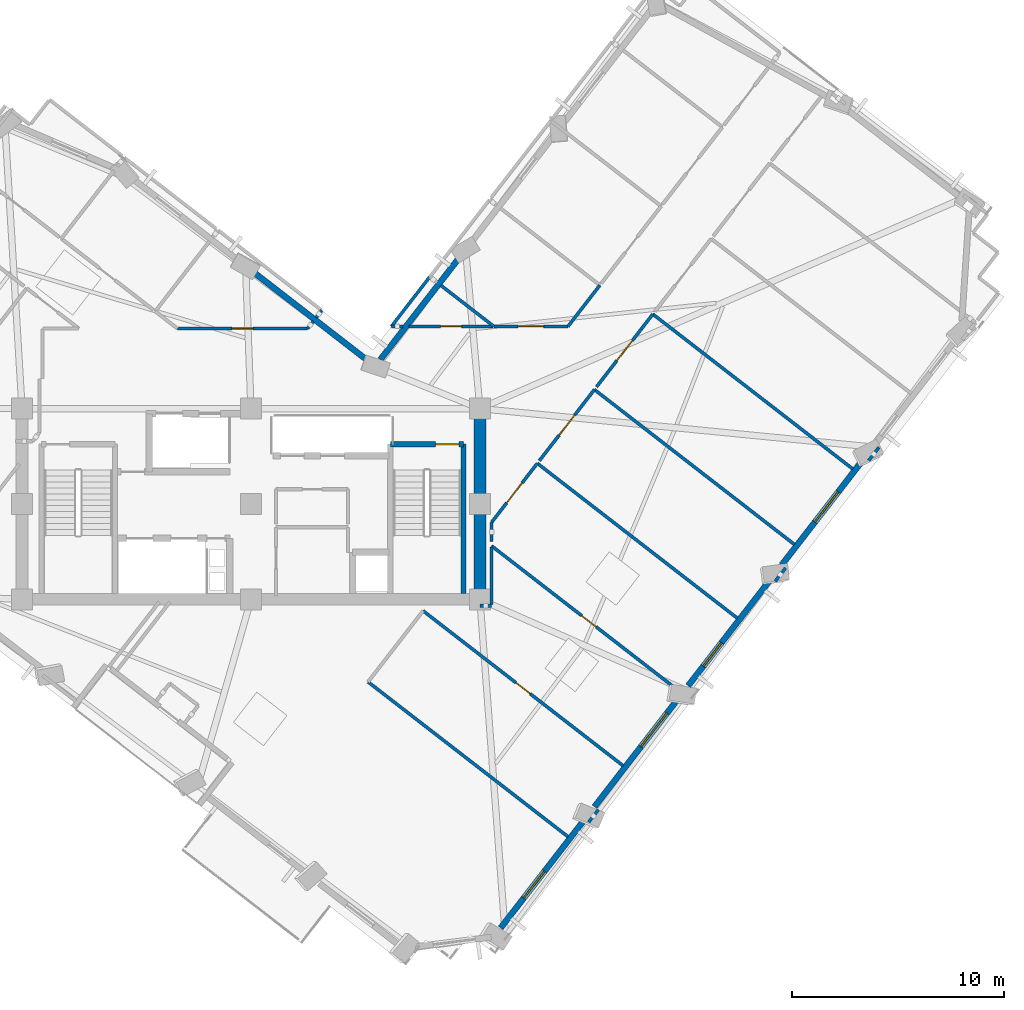
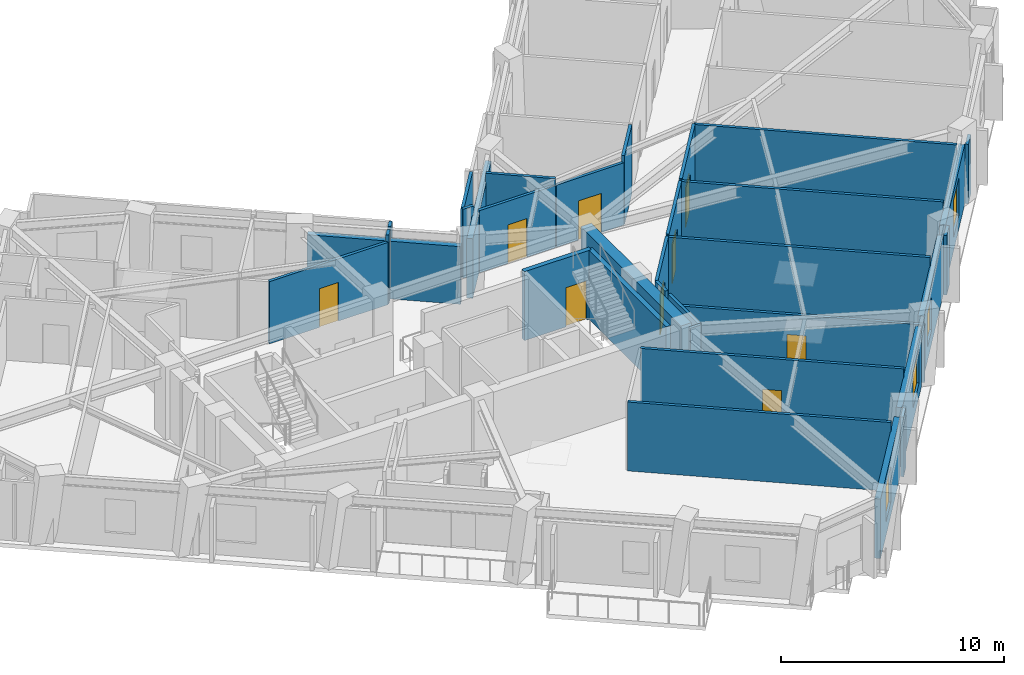
# One storey, part 5 of 12: 33 walls, 9 doors, 4 windows, 13 openings.
"""IFC4 building model written with IfcOpenShell, lengths in metres."""

from ifc_helpers import new_model, si_unit, direction, frame, frame_2d, origin, place, context, subcontext, project, spatial, rectangle, extrude, material, layer, layer_set, type_object, element, fill, save


model = new_model("IFC4")

# Units and contexts
model_context = context("Model", 3, precision=1e-05, world=origin(), true_north=direction((0.0, 1.0)))
body_context = subcontext(model_context, "Body", "Model", "MODEL_VIEW")
ifc_project = project(units=[si_unit("LENGTHUNIT", "METRE"), si_unit("AREAUNIT", "SQUARE_METRE"), si_unit("VOLUMEUNIT", "CUBIC_METRE"), si_unit("PLANEANGLEUNIT", "RADIAN"), si_unit("MASSUNIT", "GRAM", prefix="KILO")], contexts=[model_context])

# Site, building, storey
site_placement = place(None, origin())
site = spatial("IfcSite", under=ifc_project, at=site_placement, CompositionType="ELEMENT")
building_placement = place(site_placement, origin())
building = spatial("IfcBuilding", under=site, at=building_placement, Name="Gaonmaruhae Medical Tower", CompositionType="ELEMENT")
storey_placement = place(building_placement, frame((0.0, 0.0, 247.199951171875)))
storey = spatial("IfcBuildingStorey", under=building, at=storey_placement, Name="L59", CompositionType="ELEMENT", Elevation=247.199951171875)

# Wall
ifc_material_1 = material(Name="Concrete C50/60", Category="concrete")
ifc_layer_1 = layer(ifc_material_1, 0.550048828125)
ifc_layer_set_1 = layer_set([ifc_layer_1], Name="Concrete C50/60")
wall_type_1 = type_object("IfcWallType", Name="CW-550 Mid-High Core Shear Wall", PredefinedType="SHEAR", material=ifc_layer_set_1)
wall_1_placement = place(storey_placement, frame((35.60009765625, 7.800048828125, 0.0), z_axis=(0.0, 0.0, 1.0), x_axis=(0.0, 1.0, 0.0)))
element("IfcWall", 1, at=wall_1_placement, inside=storey, type_object=wall_type_1, Name="L59 Core Shear Wall CSW-E1", PredefinedType="SHEAR", context=body_context, shape_type="SweptSolid", body=[
    extrude(rectangle(XDim=9.0, YDim=0.550048828125, at=frame_2d((4.5, 0.0))), origin(), (0.0, 0.0, 1.0), 3.780029296875),
])

# Wall, opening, window
ifc_material_2 = material(Name="Precast concrete C45/55", Category="concrete")
ifc_layer_2 = layer(ifc_material_2, 0.280029296875)
ifc_layer_set_2 = layer_set([ifc_layer_2], Name="Precast concrete C45/55")
wall_type_2 = type_object("IfcWallType", Name="EW-280 Upper Precast Masonry-Frame Facade Wall", PredefinedType="SOLIDWALL", material=ifc_layer_set_2)
wall_2_placement = place(storey_placement, frame((40.548828125, -2.56884765625, 0.0), z_axis=(0.0, 0.0, 1.0), x_axis=(-0.612205844223, -0.790698428163, 0.0)))
wall_2 = element("IfcWall", 2, at=wall_2_placement, inside=storey, type_object=wall_type_2, Name="L59 Precast Masonry-Frame Wall S01-S02", PredefinedType="SOLIDWALL", context=body_context, shape_type="SweptSolid", body=[
    extrude(rectangle(XDim=6.484619140625, YDim=0.280029296875, at=frame_2d((3.2421875, 0.0))), origin(), (0.0, 0.0, 1.0), 3.26513671875),
])
opening_1_placement = place(wall_2_placement, frame((3.101318359375, 0.0, 0.75)))
opening_1 = element("IfcOpeningElement", 3, at=opening_1_placement, cuts=wall_2, Name="Opening WN-01", PredefinedType="OPENING", context=body_context, shape_type="SweptSolid", body=[
    extrude(rectangle(XDim=1.60009765625, YDim=1.949951171875, at=frame_2d((0.800048828125, 0.97509765625))), frame((0.0, 0.14990234375, 0.0), z_axis=(0.0, -1.0, 0.0), x_axis=(1.0, 0.0, 0.0)), (0.0, 0.0, 1.0), 0.300048828125),
])
ifc_material_3 = material(Name="Anodised aluminium and Low-E double glazing", Category="aluminium")
window_type_1 = type_object("IfcWindowType", Name="WN-01 Ward Punched Acoustic Window 1600x1950", PartitioningType="SINGLE_PANEL", PredefinedType="WINDOW", material=ifc_material_3)
window_1_placement = place(opening_1_placement, origin())
window_1 = element("IfcWindow", 4, at=window_1_placement, inside=storey, type_object=window_type_1, Name="L59 Modular Facade Window S01", OverallHeight=1.949951171875, OverallWidth=1.60009765625, PartitioningType="SINGLE_PANEL", PredefinedType="WINDOW", context=body_context, shape_type="SweptSolid", body=[
    extrude(rectangle(XDim=1.60009765625, YDim=1.949951171875, at=frame_2d((0.800048828125, 0.97509765625))), frame((0.0, 0.030029296875, 0.0), z_axis=(0.0, -1.0, 0.0), x_axis=(1.0, 0.0, 0.0)), (0.0, 0.0, 1.0), 0.06005859375),
])
fill(opening_1, window_1)

wall_3_placement = place(storey_placement, frame((44.94580078125, 3.110107421875, 0.0), z_axis=(0.0, 0.0, 1.0), x_axis=(-0.612214489322, -0.790691734537, 0.0)))
wall_3 = element("IfcWall", 5, at=wall_3_placement, inside=storey, type_object=wall_type_2, Name="L59 Precast Masonry-Frame Wall S02-S03", PredefinedType="SOLIDWALL", context=body_context, shape_type="SweptSolid", body=[
    extrude(rectangle(XDim=6.438720703125, YDim=0.280029296875, at=frame_2d((3.21923828125, 0.0))), origin(), (0.0, 0.0, 1.0), 3.26513671875),
])
opening_2_placement = place(wall_3_placement, frame((0.85791015625, 0.0, 0.75)))
opening_2 = element("IfcOpeningElement", 6, at=opening_2_placement, cuts=wall_3, Name="Opening WN-02", PredefinedType="OPENING", context=body_context, shape_type="SweptSolid", body=[
    extrude(rectangle(XDim=2.0, YDim=1.949951171875, at=frame_2d((1.0, 0.97509765625))), frame((0.0, 0.14990234375, 0.0), z_axis=(0.0, -1.0, 0.0), x_axis=(1.0, 0.0, 0.0)), (0.0, 0.0, 1.0), 0.300048828125),
])
window_type_2 = type_object("IfcWindowType", Name="WN-02 Double-Bed Ward Punched Window 2000x1950", PartitioningType="SINGLE_PANEL", PredefinedType="WINDOW", material=ifc_material_3)
window_2_placement = place(opening_2_placement, origin())
window_2 = element("IfcWindow", 7, at=window_2_placement, inside=storey, type_object=window_type_2, Name="L59 Modular Facade Window S02", OverallHeight=1.949951171875, OverallWidth=2.0, PartitioningType="SINGLE_PANEL", PredefinedType="WINDOW", context=body_context, shape_type="SweptSolid", body=[
    extrude(rectangle(XDim=2.0, YDim=1.949951171875, at=frame_2d((1.0, 0.97509765625))), frame((0.0, 0.030029296875, 0.0), z_axis=(0.0, -1.0, 0.0), x_axis=(1.0, 0.0, 0.0)), (0.0, 0.0, 1.0), 0.06005859375),
])
fill(opening_2, window_2)

wall_4_placement = place(storey_placement, frame((49.3486328125, 8.79638671875, 0.0), z_axis=(0.0, 0.0, 1.0), x_axis=(-0.612226167932, -0.790682691918, 0.0)))
wall_4 = element("IfcWall", 8, at=wall_4_placement, inside=storey, type_object=wall_type_2, Name="L59 Precast Masonry-Frame Wall S03-S04", PredefinedType="SOLIDWALL", context=body_context, shape_type="SweptSolid", body=[
    extrude(rectangle(XDim=6.41357421875, YDim=0.280029296875, at=frame_2d((3.206787109375, 0.0))), origin(), (0.0, 0.0, 1.0), 3.26513671875),
])
opening_3_placement = place(wall_4_placement, frame((3.845703125, 0.0, 0.75)))
opening_3 = element("IfcOpeningElement", 9, at=opening_3_placement, cuts=wall_4, Name="Opening WN-03", PredefinedType="OPENING", context=body_context, shape_type="SweptSolid", body=[
    extrude(rectangle(XDim=1.39990234375, YDim=1.85009765625, at=frame_2d((0.699951171875, 0.925048828125))), frame((0.0, 0.14990234375, 0.0), z_axis=(0.0, -1.0, 0.0), x_axis=(1.0, 0.0, 0.0)), (0.0, 0.0, 1.0), 0.300048828125),
])
window_type_3 = type_object("IfcWindowType", Name="WN-03 Isolation Ward Punched Window 1400x1850", PartitioningType="SINGLE_PANEL", PredefinedType="WINDOW", material=ifc_material_3)
window_3_placement = place(opening_3_placement, origin())
window_3 = element("IfcWindow", 10, at=window_3_placement, inside=storey, type_object=window_type_3, Name="L59 Modular Facade Window S03", OverallHeight=1.85009765625, OverallWidth=1.39990234375, PartitioningType="SINGLE_PANEL", PredefinedType="WINDOW", context=body_context, shape_type="SweptSolid", body=[
    extrude(rectangle(XDim=1.39990234375, YDim=1.85009765625, at=frame_2d((0.699951171875, 0.925048828125))), frame((0.0, 0.030029296875, 0.0), z_axis=(0.0, -1.0, 0.0), x_axis=(1.0, 0.0, 0.0)), (0.0, 0.0, 1.0), 0.06005859375),
])
fill(opening_3, window_3)

wall_5_placement = place(storey_placement, frame((53.757080078125, 14.489990234375, 0.0), z_axis=(0.0, 0.0, 1.0), x_axis=(-0.612208546276, -0.790696336065, 0.0)))
wall_5 = element("IfcWall", 11, at=wall_5_placement, inside=storey, type_object=wall_type_2, Name="L59 Precast Masonry-Frame Wall S04-S05", PredefinedType="SOLIDWALL", context=body_context, shape_type="SweptSolid", body=[
    extrude(rectangle(XDim=6.406982421875, YDim=0.280029296875, at=frame_2d((3.20361328125, 0.0))), origin(), (0.0, 0.0, 1.0), 3.26513671875),
])
opening_4_placement = place(wall_5_placement, frame((2.04345703125, 0.0, 0.75)))
opening_4 = element("IfcOpeningElement", 12, at=opening_4_placement, cuts=wall_5, Name="Opening WN-04", PredefinedType="OPENING", context=body_context, shape_type="SweptSolid", body=[
    extrude(rectangle(XDim=1.800048828125, YDim=2.050048828125, at=frame_2d((0.89990234375, 1.02490234375))), frame((0.0, 0.14990234375, 0.0), z_axis=(0.0, -1.0, 0.0), x_axis=(1.0, 0.0, 0.0)), (0.0, 0.0, 1.0), 0.300048828125),
])
window_type_4 = type_object("IfcWindowType", Name="WN-04 Clinic & Consult Punched Window 1800x2050", PartitioningType="SINGLE_PANEL", PredefinedType="WINDOW", material=ifc_material_3)
window_4_placement = place(opening_4_placement, origin())
window_4 = element("IfcWindow", 13, at=window_4_placement, inside=storey, type_object=window_type_4, Name="L59 Modular Facade Window S04", OverallHeight=2.050048828125, OverallWidth=1.800048828125, PartitioningType="SINGLE_PANEL", PredefinedType="WINDOW", context=body_context, shape_type="SweptSolid", body=[
    extrude(rectangle(XDim=1.800048828125, YDim=2.050048828125, at=frame_2d((0.89990234375, 1.02490234375))), frame((0.0, 0.030029296875, 0.0), z_axis=(0.0, -1.0, 0.0), x_axis=(1.0, 0.0, 0.0)), (0.0, 0.0, 1.0), 0.06005859375),
])
fill(opening_4, window_4)

# Walls
wall_6_placement = place(storey_placement, frame((30.905517578125, 19.114990234375, 0.0), z_axis=(0.0, 0.0, 1.0), x_axis=(0.612215569716, 0.790690898011, 0.0)))
element("IfcWall", 14, at=wall_6_placement, inside=storey, type_object=wall_type_2, Name="L59 Precast Masonry-Frame Wall EN02-KN01", PredefinedType="SOLIDWALL", context=body_context, shape_type="SweptSolid", body=[
    extrude(rectangle(XDim=6.158447265625, YDim=0.280029296875, at=frame_2d((3.0791015625, 0.0))), origin(), (0.0, 0.0, 1.0), 3.26513671875),
])
wall_7_placement = place(storey_placement, frame((24.884521484375, 23.264404296875, 0.0), z_axis=(0.0, 0.0, 1.0), x_axis=(0.790684257093, -0.612224146523, 0.0)))
element("IfcWall", 15, at=wall_7_placement, inside=storey, type_object=wall_type_2, Name="L59 Precast Masonry-Frame Wall KN01-NE01", PredefinedType="SOLIDWALL", context=body_context, shape_type="SweptSolid", body=[
    extrude(rectangle(XDim=6.957763671875, YDim=0.280029296875, at=frame_2d((3.47900390625, 0.0))), origin(), (0.0, 0.0, 1.0), 3.1650390625),
])

# Wall, opening, door
ifc_material_4 = material(Name="Gypsum board partition", Category="gypsum")
ifc_layer_3 = layer(ifc_material_4, 0.14990234375)
ifc_layer_set_3 = layer_set([ifc_layer_3], Name="Gypsum board partition")
wall_type_3 = type_object("IfcWallType", Name="PW-150 Rated Clinical Corridor Partition", PredefinedType="PARTITIONING", material=ifc_layer_set_3)
wall_8_placement = place(storey_placement, frame((32.919921875, 7.260009765625, 0.0), z_axis=(0.0, 0.0, 1.0), x_axis=(0.790650233598, -0.612268085164, 0.0)))
wall_8 = element("IfcWall", 16, at=wall_8_placement, inside=storey, type_object=wall_type_3, Name="L59 Interior Partition L59-SUP03-8", PredefinedType="PARTITIONING", context=body_context, shape_type="SweptSolid", body=[
    extrude(rectangle(XDim=11.9345703125, YDim=0.14990234375, at=frame_2d((5.96728515625, 0.0))), origin(), (0.0, 0.0, 1.0), 3.780029296875),
])
opening_5_placement = place(wall_8_placement, frame((5.537109375, 0.0, 0.0)))
opening_5 = element("IfcOpeningElement", 17, at=opening_5_placement, cuts=wall_8, Name="Opening AD-01", PredefinedType="OPENING", context=body_context, shape_type="SweptSolid", body=[
    extrude(rectangle(XDim=0.860107421875, YDim=2.06005859375, at=frame_2d((0.43017578125, 1.030029296875))), frame((0.0, 0.0849609375, 0.0), z_axis=(0.0, -1.0, 0.0), x_axis=(1.0, 0.0, 0.0)), (0.0, 0.0, 1.0), 0.169921875),
])
ifc_material_5 = material(Name="Powder-coated steel access door", Category="steel")
door_type_1 = type_object("IfcDoorType", Name="AD-01 Riser & Closet Access Fire Door 860x2060", OperationType="NOTDEFINED", PredefinedType="DOOR", material=ifc_material_5)
door_1_placement = place(opening_5_placement, origin())
door_1 = element("IfcDoor", 18, at=door_1_placement, inside=storey, type_object=door_type_1, Name="L59 Clinical Biomedical Charting Office Sliding Door", OperationType="SLIDING_TO_LEFT", OverallHeight=2.06005859375, OverallWidth=0.860107421875, PredefinedType="DOOR", context=body_context, shape_type="SweptSolid", body=[
    extrude(rectangle(XDim=0.860107421875, YDim=2.06005859375, at=frame_2d((0.43017578125, 1.030029296875))), frame((0.0, 0.02490234375, 0.0), z_axis=(0.0, -1.0, 0.0), x_axis=(1.0, 0.0, 0.0)), (0.0, 0.0, 1.0), 0.050048828125),
])
fill(opening_5, door_1)

# Walls
wall_9_placement = place(storey_placement, frame((41.18603515625, -2.1220703125, 0.0), z_axis=(0.0, 0.0, 1.0), x_axis=(-0.613576707718, -0.789635120639, 0.0)))
element("IfcWall", 19, at=wall_9_placement, inside=storey, type_object=wall_type_3, Name="L59 Interior Partition L59-SUP03-9", PredefinedType="PARTITIONING", context=body_context, shape_type="SweptSolid", body=[
    extrude(rectangle(XDim=0.7431640625, YDim=0.14990234375, at=frame_2d((0.37158203125, 0.0))), origin(), (0.0, 0.0, 1.0), 3.26513671875),
])
wall_10_placement = place(storey_placement, frame((39.760986328125, -3.39892578125, 0.0), z_axis=(0.0, 0.0, 1.0), x_axis=(-0.790690807158, 0.612215687055, 0.0)))
element("IfcWall", 20, at=wall_10_placement, inside=storey, type_object=wall_type_3, Name="L59 Interior Partition L59-SUP03-10", PredefinedType="PARTITIONING", context=body_context, shape_type="SweptSolid", body=[
    extrude(rectangle(XDim=11.93505859375, YDim=0.14990234375, at=frame_2d((5.967529296875, 0.0))), origin(), (0.0, 0.0, 1.0), 3.780029296875),
])

# Wall, opening, door
wall_11_placement = place(storey_placement, frame((36.14990234375, 10.323974609375, 0.0), z_axis=(0.0, 0.0, 1.0), x_axis=(0.790670472716, -0.612241948559, 0.0)))
wall_11 = element("IfcWall", 21, at=wall_11_placement, inside=storey, type_object=wall_type_3, Name="L59 Interior Partition L59-SUP04-11", PredefinedType="PARTITIONING", context=body_context, shape_type="SweptSolid", body=[
    extrude(rectangle(XDim=11.6015625, YDim=0.14990234375, at=frame_2d((5.80078125, 0.0))), origin(), (0.0, 0.0, 1.0), 3.1650390625),
])
opening_6_placement = place(wall_11_placement, frame((5.370849609375, 0.0, 0.0)))
opening_6 = element("IfcOpeningElement", 22, at=opening_6_placement, cuts=wall_11, Name="Opening AD-01", PredefinedType="OPENING", context=body_context, shape_type="SweptSolid", body=[
    extrude(rectangle(XDim=0.860107421875, YDim=2.06005859375, at=frame_2d((0.43017578125, 1.030029296875))), frame((0.0, 0.0849609375, 0.0), z_axis=(0.0, -1.0, 0.0), x_axis=(1.0, 0.0, 0.0)), (0.0, 0.0, 1.0), 0.169921875),
])
door_2_placement = place(opening_6_placement, origin())
door_2 = element("IfcDoor", 23, at=door_2_placement, inside=storey, type_object=door_type_1, Name="L59 Clinical Biomedical Charting Office Sliding Door", OperationType="SLIDING_TO_LEFT", OverallHeight=2.06005859375, OverallWidth=0.860107421875, PredefinedType="DOOR", context=body_context, shape_type="SweptSolid", body=[
    extrude(rectangle(XDim=0.860107421875, YDim=2.06005859375, at=frame_2d((0.43017578125, 1.030029296875))), frame((0.0, 0.02490234375, 0.0), z_axis=(0.0, -1.0, 0.0), x_axis=(1.0, 0.0, 0.0)), (0.0, 0.0, 1.0), 0.050048828125),
])
fill(opening_6, door_2)

# Walls
wall_12_placement = place(storey_placement, frame((35.60009765625, 7.5, 0.0), z_axis=(0.0, 0.0, 1.0), x_axis=(1.0, 0.0, 0.0)))
element("IfcWall", 24, at=wall_12_placement, inside=storey, type_object=wall_type_3, Name="L59 Interior Partition L59-SUP04-12", PredefinedType="PARTITIONING", context=body_context, shape_type="SweptSolid", body=[
    extrude(rectangle(XDim=0.5498046875, YDim=0.14990234375, at=frame_2d((0.27490234375, 0.0))), origin(), (0.0, 0.0, 1.0), 3.780029296875),
])
wall_13_placement = place(storey_placement, frame((36.14990234375, 7.550048828125, 0.0), z_axis=(0.0, 0.0, 1.0), x_axis=(0.0, 1.0, 0.0)))
element("IfcWall", 25, at=wall_13_placement, inside=storey, type_object=wall_type_3, Name="L59 Interior Partition L59-SUP04-13", PredefinedType="PARTITIONING", context=body_context, shape_type="SweptSolid", body=[
    extrude(rectangle(XDim=2.7109375, YDim=0.14990234375, at=frame_2d((1.35546875, 0.0))), origin(), (0.0, 0.0, 1.0), 3.780029296875),
])
wall_14_placement = place(storey_placement, frame((38.306884765625, 14.218017578125, 0.0), z_axis=(0.0, 0.0, 1.0), x_axis=(0.79073041553, -0.612164528502, 0.0)))
element("IfcWall", 26, at=wall_14_placement, inside=storey, type_object=wall_type_3, Name="L59 Interior Partition L59-SUP05-14", PredefinedType="PARTITIONING", context=body_context, shape_type="SweptSolid", body=[
    extrude(rectangle(XDim=11.9345703125, YDim=0.14990234375, at=frame_2d((5.96728515625, 0.0))), origin(), (0.0, 0.0, 1.0), 3.780029296875),
])
wall_15_placement = place(storey_placement, frame((36.14990234375, 10.52587890625, 0.0), z_axis=(0.0, 0.0, 1.0), x_axis=(0.0, 1.0, 0.0)))
element("IfcWall", 27, at=wall_15_placement, inside=storey, type_object=wall_type_3, Name="L59 Interior Partition L59-SUP05-15", PredefinedType="PARTITIONING", context=body_context, shape_type="SweptSolid", body=[
    extrude(rectangle(XDim=0.9072265625, YDim=0.14990234375, at=frame_2d((0.45361328125, 0.0))), origin(), (0.0, 0.0, 1.0), 3.780029296875),
])

# Wall, opening, door
wall_16_placement = place(storey_placement, frame((36.14990234375, 11.43310546875, 0.0), z_axis=(0.0, 0.0, 1.0), x_axis=(0.612336732494, 0.790597069333, 0.0)))
wall_16 = element("IfcWall", 28, at=wall_16_placement, inside=storey, type_object=wall_type_3, Name="L59 Interior Partition L59-SUP05-16", PredefinedType="PARTITIONING", context=body_context, shape_type="SweptSolid", body=[
    extrude(rectangle(XDim=3.5224609375, YDim=0.14990234375, at=frame_2d((1.76123046875, 0.0))), origin(), (0.0, 0.0, 1.0), 3.780029296875),
])
opening_7_placement = place(wall_16_placement, frame((1.161376953125, 0.0, 0.0)))
opening_7 = element("IfcOpeningElement", 29, at=opening_7_placement, cuts=wall_16, Name="Opening CD-02", PredefinedType="OPENING", context=body_context, shape_type="SweptSolid", body=[
    extrude(rectangle(XDim=1.199951171875, YDim=2.14990234375, at=frame_2d((0.60009765625, 1.074951171875))), frame((0.0, 0.0849609375, 0.0), z_axis=(0.0, -1.0, 0.0), x_axis=(1.0, 0.0, 0.0)), (0.0, 0.0, 1.0), 0.169921875),
])
ifc_material_6 = material(Name="Antimicrobial laminate timber fire door", Category="wood")
door_type_2 = type_object("IfcDoorType", Name="CD-02 Clinical Treatment & Procedure Door 1200x2150", OperationType="NOTDEFINED", PredefinedType="DOOR", material=ifc_material_6)
door_3_placement = place(opening_7_placement, origin())
door_3 = element("IfcDoor", 30, at=door_3_placement, inside=storey, type_object=door_type_2, Name="L59 Clinical Biomedical Charting Office Door", OperationType="SINGLE_SWING_RIGHT", OverallHeight=2.14990234375, OverallWidth=1.199951171875, PredefinedType="DOOR", context=body_context, shape_type="SweptSolid", body=[
    extrude(rectangle(XDim=1.199951171875, YDim=2.14990234375, at=frame_2d((0.60009765625, 1.074951171875))), frame((0.0, 0.02490234375, 0.0), z_axis=(0.0, -1.0, 0.0), x_axis=(1.0, 0.0, 0.0)), (0.0, 0.0, 1.0), 0.050048828125),
])
fill(opening_7, door_3)

wall_17_placement = place(storey_placement, frame((38.405029296875, 14.344970703125, 0.0), z_axis=(0.0, 0.0, 1.0), x_axis=(0.612292812762, 0.790631084287, 0.0)))
wall_17 = element("IfcWall", 31, at=wall_17_placement, inside=storey, type_object=wall_type_3, Name="L59 Interior Partition L59-SUP06-17", PredefinedType="PARTITIONING", context=body_context, shape_type="SweptSolid", body=[
    extrude(rectangle(XDim=4.23974609375, YDim=0.14990234375, at=frame_2d((2.119873046875, 0.0))), origin(), (0.0, 0.0, 1.0), 3.780029296875),
])
opening_8_placement = place(wall_17_placement, frame((1.52001953125, 0.0, 0.0)))
opening_8 = element("IfcOpeningElement", 32, at=opening_8_placement, cuts=wall_17, Name="Opening CD-02", PredefinedType="OPENING", context=body_context, shape_type="SweptSolid", body=[
    extrude(rectangle(XDim=1.199951171875, YDim=2.14990234375, at=frame_2d((0.60009765625, 1.074951171875))), frame((0.0, 0.0849609375, 0.0), z_axis=(0.0, -1.0, 0.0), x_axis=(1.0, 0.0, 0.0)), (0.0, 0.0, 1.0), 0.169921875),
])
door_4_placement = place(opening_8_placement, origin())
door_4 = element("IfcDoor", 33, at=door_4_placement, inside=storey, type_object=door_type_2, Name="L59 Clinical Biomedical Charting Office Door", OperationType="SINGLE_SWING_RIGHT", OverallHeight=2.14990234375, OverallWidth=1.199951171875, PredefinedType="DOOR", context=body_context, shape_type="SweptSolid", body=[
    extrude(rectangle(XDim=1.199951171875, YDim=2.14990234375, at=frame_2d((0.60009765625, 1.074951171875))), frame((0.0, 0.02490234375, 0.0), z_axis=(0.0, -1.0, 0.0), x_axis=(1.0, 0.0, 0.0)), (0.0, 0.0, 1.0), 0.050048828125),
])
fill(opening_8, door_4)

# Walls
wall_18_placement = place(storey_placement, frame((41.0009765625, 17.697021484375, 0.0), z_axis=(0.0, 0.0, 1.0), x_axis=(0.790650233598, -0.612268085164, 0.0)))
element("IfcWall", 34, at=wall_18_placement, inside=storey, type_object=wall_type_3, Name="L59 Interior Partition L59-SUP06-18", PredefinedType="PARTITIONING", context=body_context, shape_type="SweptSolid", body=[
    extrude(rectangle(XDim=11.9345703125, YDim=0.14990234375, at=frame_2d((5.96728515625, 0.0))), origin(), (0.0, 0.0, 1.0), 3.780029296875),
])
wall_19_placement = place(storey_placement, frame((50.01708984375, 9.282958984375, 0.0), z_axis=(0.0, 0.0, 1.0), x_axis=(-0.612725467553, -0.79029583158, 0.0)))
element("IfcWall", 35, at=wall_19_placement, inside=storey, type_object=wall_type_3, Name="L59 Interior Partition L59-SUP06-19", PredefinedType="PARTITIONING", context=body_context, shape_type="SweptSolid", body=[
    extrude(rectangle(XDim=0.793212890625, YDim=0.14990234375, at=frame_2d((0.396484375, 0.0))), origin(), (0.0, 0.0, 1.0), 3.26513671875),
])

# Wall, opening, door
wall_20_placement = place(storey_placement, frame((41.09912109375, 17.823974609375, 0.0), z_axis=(0.0, 0.0, 1.0), x_axis=(0.612151637576, 0.790740395208, 0.0)))
wall_20 = element("IfcWall", 36, at=wall_20_placement, inside=storey, type_object=wall_type_3, Name="L59 Interior Partition L59-SUP07-20", PredefinedType="PARTITIONING", context=body_context, shape_type="SweptSolid", body=[
    extrude(rectangle(XDim=4.34033203125, YDim=0.14990234375, at=frame_2d((2.170166015625, 0.0))), origin(), (0.0, 0.0, 1.0), 3.780029296875),
])
opening_9_placement = place(wall_20_placement, frame((1.5703125, 0.0, 0.0)))
opening_9 = element("IfcOpeningElement", 37, at=opening_9_placement, cuts=wall_20, Name="Opening CD-02", PredefinedType="OPENING", context=body_context, shape_type="SweptSolid", body=[
    extrude(rectangle(XDim=1.199951171875, YDim=2.14990234375, at=frame_2d((0.60009765625, 1.074951171875))), frame((0.0, 0.0849609375, 0.0), z_axis=(0.0, -1.0, 0.0), x_axis=(1.0, 0.0, 0.0)), (0.0, 0.0, 1.0), 0.169921875),
])
door_5_placement = place(opening_9_placement, origin())
door_5 = element("IfcDoor", 38, at=door_5_placement, inside=storey, type_object=door_type_2, Name="L59 Clinical Biomedical Charting Office Door", OperationType="SINGLE_SWING_LEFT", OverallHeight=2.14990234375, OverallWidth=1.199951171875, PredefinedType="DOOR", context=body_context, shape_type="SweptSolid", body=[
    extrude(rectangle(XDim=1.199951171875, YDim=2.14990234375, at=frame_2d((0.60009765625, 1.074951171875))), frame((0.0, 0.02490234375, 0.0), z_axis=(0.0, -1.0, 0.0), x_axis=(1.0, 0.0, 0.0)), (0.0, 0.0, 1.0), 0.050048828125),
])
fill(opening_9, door_5)

# Walls
wall_21_placement = place(storey_placement, frame((43.756103515625, 21.256103515625, 0.0), z_axis=(0.0, 0.0, 1.0), x_axis=(0.790680905168, -0.612228475492, 0.0)))
element("IfcWall", 39, at=wall_21_placement, inside=storey, type_object=wall_type_3, Name="L59 Interior Partition L59-SUP07-21", PredefinedType="PARTITIONING", context=body_context, shape_type="SweptSolid", body=[
    extrude(rectangle(XDim=11.935302734375, YDim=0.14990234375, at=frame_2d((5.9677734375, 0.0))), origin(), (0.0, 0.0, 1.0), 3.780029296875),
])
wall_22_placement = place(storey_placement, frame((54.423095703125, 14.97509765625, 0.0), z_axis=(0.0, 0.0, 1.0), x_axis=(-0.611781103631, -0.79102710525, 0.0)))
element("IfcWall", 40, at=wall_22_placement, inside=storey, type_object=wall_type_3, Name="L59 Interior Partition L59-SUP08-24", PredefinedType="PARTITIONING", context=body_context, shape_type="SweptSolid", body=[
    extrude(rectangle(XDim=0.791259765625, YDim=0.14990234375, at=frame_2d((0.3955078125, 0.0))), origin(), (0.0, 0.0, 1.0), 3.26513671875),
])
wall_23_placement = place(storey_placement, frame((41.258056640625, 22.6201171875, 0.0), z_axis=(0.0, 0.0, 1.0), x_axis=(-0.612141082287, -0.790748566472, 0.0)))
element("IfcWall", 41, at=wall_23_placement, inside=storey, type_object=wall_type_3, Name="L59 Interior Partition L59-IE03-64", PredefinedType="PARTITIONING", context=body_context, shape_type="SweptSolid", body=[
    extrude(rectangle(XDim=2.45361328125, YDim=0.14990234375, at=frame_2d((1.226806640625, 0.0))), origin(), (0.0, 0.0, 1.0), 3.780029296875),
])

# Wall, opening, door
wall_24_placement = place(storey_placement, frame((39.756103515625, 20.679931640625, 0.0), z_axis=(0.0, 0.0, 1.0), x_axis=(-1.0, 0.0, 0.0)))
wall_24 = element("IfcWall", 42, at=wall_24_placement, inside=storey, type_object=wall_type_3, Name="L59 Interior Partition L59-IE03-65", PredefinedType="PARTITIONING", context=body_context, shape_type="SweptSolid", body=[
    extrude(rectangle(XDim=3.501220703125, YDim=0.14990234375, at=frame_2d((1.75048828125, 0.0))), origin(), (0.0, 0.0, 1.0), 3.4150390625),
])
opening_10_placement = place(wall_24_placement, frame((1.150390625, 0.0, 0.0)))
opening_10 = element("IfcOpeningElement", 43, at=opening_10_placement, cuts=wall_24, Name="Opening CD-02", PredefinedType="OPENING", context=body_context, shape_type="SweptSolid", body=[
    extrude(rectangle(XDim=1.199951171875, YDim=2.14990234375, at=frame_2d((0.60009765625, 1.074951171875))), frame((0.0, 0.0849609375, 0.0), z_axis=(0.0, -1.0, 0.0), x_axis=(1.0, 0.0, 0.0)), (0.0, 0.0, 1.0), 0.169921875),
])
door_6_placement = place(opening_10_placement, origin())
door_6 = element("IfcDoor", 44, at=door_6_placement, inside=storey, type_object=door_type_2, Name="L59 Clean Medication Preparation Room Door", OperationType="SINGLE_SWING_RIGHT", OverallHeight=2.14990234375, OverallWidth=1.199951171875, PredefinedType="DOOR", context=body_context, shape_type="SweptSolid", body=[
    extrude(rectangle(XDim=1.199951171875, YDim=2.14990234375, at=frame_2d((0.60009765625, 1.074951171875))), frame((0.0, 0.02490234375, 0.0), z_axis=(0.0, -1.0, 0.0), x_axis=(1.0, 0.0, 0.0)), (0.0, 0.0, 1.0), 0.050048828125),
])
fill(opening_10, door_6)

# Wall
wall_25_placement = place(storey_placement, frame((36.2548828125, 20.679931640625, 0.0), z_axis=(0.0, 0.0, 1.0), x_axis=(-0.79074544755, 0.612145111211, 0.0)))
element("IfcWall", 45, at=wall_25_placement, inside=storey, type_object=wall_type_3, Name="L59 Interior Partition L59-IE03-66", PredefinedType="PARTITIONING", context=body_context, shape_type="SweptSolid", body=[
    extrude(rectangle(XDim=3.15625, YDim=0.14990234375, at=frame_2d((1.578125, 0.0))), origin(), (0.0, 0.0, 1.0), 3.780029296875),
])

# Wall, opening, door
wall_26_placement = place(storey_placement, frame((27.47412109375, 20.580078125, 0.0), z_axis=(0.0, 0.0, 1.0), x_axis=(-1.0, 0.0, 0.0)))
wall_26 = element("IfcWall", 46, at=wall_26_placement, inside=storey, type_object=wall_type_3, Name="L59 Interior Partition L59-IN01-81", PredefinedType="PARTITIONING", context=body_context, shape_type="SweptSolid", body=[
    extrude(rectangle(XDim=6.146240234375, YDim=0.14990234375, at=frame_2d((3.0732421875, 0.0))), origin(), (0.0, 0.0, 1.0), 3.4150390625),
])
opening_11_placement = place(wall_26_placement, frame((2.572998046875, 0.0, 0.0)))
opening_11 = element("IfcOpeningElement", 47, at=opening_11_placement, cuts=wall_26, Name="Opening CD-01", PredefinedType="OPENING", context=body_context, shape_type="SweptSolid", body=[
    extrude(rectangle(XDim=1.0, YDim=2.1201171875, at=frame_2d((0.5, 1.06005859375))), frame((0.0, 0.0849609375, 0.0), z_axis=(0.0, -1.0, 0.0), x_axis=(1.0, 0.0, 0.0)), (0.0, 0.0, 1.0), 0.169921875),
])
door_type_3 = type_object("IfcDoorType", Name="CD-01 Consultation & Physician Office Door 1000x2120", OperationType="NOTDEFINED", PredefinedType="DOOR", material=ifc_material_6)
door_7_placement = place(opening_11_placement, origin())
door_7 = element("IfcDoor", 48, at=door_7_placement, inside=storey, type_object=door_type_3, Name="L59 Physician Consultation Office Door", OperationType="SINGLE_SWING_RIGHT", OverallHeight=2.1201171875, OverallWidth=1.0, PredefinedType="DOOR", context=body_context, shape_type="SweptSolid", body=[
    extrude(rectangle(XDim=1.0, YDim=2.1201171875, at=frame_2d((0.5, 1.06005859375))), frame((0.0, 0.02490234375, 0.0), z_axis=(0.0, -1.0, 0.0), x_axis=(1.0, 0.0, 0.0)), (0.0, 0.0, 1.0), 0.050048828125),
])
fill(opening_11, door_7)

# Walls
wall_27_placement = place(storey_placement, frame((28.139892578125, 21.43896484375, 0.0), z_axis=(0.0, 0.0, 1.0), x_axis=(-0.611527407978, -0.791223248706, 0.0)))
element("IfcWall", 49, at=wall_27_placement, inside=storey, type_object=wall_type_3, Name="L59 Interior Partition L59-IN01-86", PredefinedType="PARTITIONING", context=body_context, shape_type="SweptSolid", body=[
    extrude(rectangle(XDim=0.434814453125, YDim=0.14990234375, at=frame_2d((0.21728515625, 0.0))), origin(), (0.0, 0.0, 1.0), 3.780029296875),
])
wall_28_placement = place(storey_placement, frame((27.73291015625, 20.9140625, 0.0), z_axis=(0.0, 0.0, 1.0), x_axis=(-0.612499462373, -0.79047100427, 0.0)))
element("IfcWall", 50, at=wall_28_placement, inside=storey, type_object=wall_type_3, Name="L59 Interior Partition L59-IN01-87", PredefinedType="PARTITIONING", context=body_context, shape_type="SweptSolid", body=[
    extrude(rectangle(XDim=0.422607421875, YDim=0.14990234375, at=frame_2d((0.21142578125, 0.0))), origin(), (0.0, 0.0, 1.0), 3.780029296875),
])
wall_29_placement = place(storey_placement, frame((31.422119140625, 20.679931640625, 0.0), z_axis=(0.0, 0.0, 1.0), x_axis=(0.612092763784, 0.790785968846, 0.0)))
element("IfcWall", 51, at=wall_29_placement, inside=storey, type_object=wall_type_3, Name="L59 Interior Partition L59-RM04-103", PredefinedType="PARTITIONING", context=body_context, shape_type="SweptSolid", body=[
    extrude(rectangle(XDim=2.938720703125, YDim=0.14990234375, at=frame_2d((1.46923828125, 0.0))), origin(), (0.0, 0.0, 1.0), 3.780029296875),
])

# Wall, opening, door
wall_30_placement = place(storey_placement, frame((36.221923828125, 20.679931640625, 0.0), z_axis=(0.0, 0.0, 1.0), x_axis=(-1.0, 0.0, 0.0)))
wall_30 = element("IfcWall", 52, at=wall_30_placement, inside=storey, type_object=wall_type_3, Name="L59 Interior Partition L59-RM04-104", PredefinedType="PARTITIONING", context=body_context, shape_type="SweptSolid", body=[
    extrude(rectangle(XDim=3.958984375, YDim=0.14990234375, at=frame_2d((1.9794921875, 0.0))), origin(), (0.0, 0.0, 1.0), 3.4150390625),
])
opening_12_placement = place(wall_30_placement, frame((1.4794921875, 0.0, 0.0)))
opening_12 = element("IfcOpeningElement", 53, at=opening_12_placement, cuts=wall_30, Name="Opening CD-01", PredefinedType="OPENING", context=body_context, shape_type="SweptSolid", body=[
    extrude(rectangle(XDim=1.0, YDim=2.1201171875, at=frame_2d((0.5, 1.06005859375))), frame((0.0, 0.0849609375, 0.0), z_axis=(0.0, -1.0, 0.0), x_axis=(1.0, 0.0, 0.0)), (0.0, 0.0, 1.0), 0.169921875),
])
door_8_placement = place(opening_12_placement, origin())
door_8 = element("IfcDoor", 54, at=door_8_placement, inside=storey, type_object=door_type_3, Name="L59 Clinical Records Office Door", OperationType="SINGLE_SWING_LEFT", OverallHeight=2.1201171875, OverallWidth=1.0, PredefinedType="DOOR", context=body_context, shape_type="SweptSolid", body=[
    extrude(rectangle(XDim=1.0, YDim=2.1201171875, at=frame_2d((0.5, 1.06005859375))), frame((0.0, 0.02490234375, 0.0), z_axis=(0.0, -1.0, 0.0), x_axis=(1.0, 0.0, 0.0)), (0.0, 0.0, 1.0), 0.050048828125),
])
fill(opening_12, door_8)

# Wall
wall_31_placement = place(storey_placement, frame((31.971923828125, 20.679931640625, 0.0), z_axis=(0.0, 0.0, 1.0), x_axis=(-1.0, 0.0, 0.0)))
element("IfcWall", 55, at=wall_31_placement, inside=storey, type_object=wall_type_3, Name="L59 Interior Partition L59-RM04-105", PredefinedType="PARTITIONING", context=body_context, shape_type="SweptSolid", body=[
    extrude(rectangle(XDim=0.5498046875, YDim=0.14990234375, at=frame_2d((0.27490234375, 0.0))), origin(), (0.0, 0.0, 1.0), 3.780029296875),
])

# Wall, opening, door
ifc_layer_4 = layer(ifc_material_1, 0.239990234375)
ifc_layer_set_4 = layer_set([ifc_layer_4], Name="Concrete C50/60")
wall_type_4 = type_object("IfcWallType", Name="SW-240 Dogleg Stair Tight Shaft Wall", PredefinedType="SOLIDWALL", material=ifc_layer_set_4)
wall_32_placement = place(storey_placement, frame((31.3701171875, 15.1201171875, 0.0), z_axis=(0.0, 0.0, 1.0), x_axis=(1.0, 0.0, 0.0)))
wall_32 = element("IfcWall", 56, at=wall_32_placement, inside=storey, type_object=wall_type_4, Name="L59 ST-02 Stair Shaft Wall SHW-ST-02-N", PredefinedType="SOLIDWALL", context=body_context, shape_type="SweptSolid", body=[
    extrude(rectangle(XDim=3.4599609375, YDim=0.239990234375, at=frame_2d((1.72998046875, 0.0))), origin(), (0.0, 0.0, 1.0), 3.780029296875),
])
opening_13_placement = place(wall_32_placement, frame((2.139892578125, 0.0, 0.0)))
opening_13 = element("IfcOpeningElement", 57, at=opening_13_placement, cuts=wall_32, Name="Opening FD-01", PredefinedType="OPENING", context=body_context, shape_type="SweptSolid", body=[
    extrude(rectangle(XDim=1.10009765625, YDim=2.14990234375, at=frame_2d((0.550048828125, 1.074951171875))), frame((0.0, 0.1298828125, 0.0), z_axis=(0.0, -1.0, 0.0), x_axis=(1.0, 0.0, 0.0)), (0.0, 0.0, 1.0), 0.260009765625),
])
ifc_material_7 = material(Name="Powder-coated steel fire door", Category="steel")
door_type_4 = type_object("IfcDoorType", Name="FD-01 Escape Stair Protected Fire Door 1100x2150", OperationType="NOTDEFINED", PredefinedType="DOOR", material=ifc_material_7)
door_9_placement = place(opening_13_placement, origin())
door_9 = element("IfcDoor", 58, at=door_9_placement, inside=storey, type_object=door_type_4, Name="L59 ST-02 Protected Escape Stair Door", OperationType="SINGLE_SWING_RIGHT", OverallHeight=2.14990234375, OverallWidth=1.10009765625, PredefinedType="DOOR", context=body_context, shape_type="SweptSolid", body=[
    extrude(rectangle(XDim=1.10009765625, YDim=2.14990234375, at=frame_2d((0.550048828125, 1.074951171875))), frame((0.0, 0.02490234375, 0.0), z_axis=(0.0, -1.0, 0.0), x_axis=(1.0, 0.0, 0.0)), (0.0, 0.0, 1.0), 0.050048828125),
])
fill(opening_13, door_9)

# Wall
wall_33_placement = place(storey_placement, frame((34.830078125, 15.1201171875, 0.0), z_axis=(0.0, 0.0, 1.0), x_axis=(0.0, -1.0, 0.0)))
element("IfcWall", 59, at=wall_33_placement, inside=storey, type_object=wall_type_4, Name="L59 ST-02 Stair Shaft Wall SHW-ST-02-E", PredefinedType="SOLIDWALL", context=body_context, shape_type="SweptSolid", body=[
    extrude(rectangle(XDim=7.045166015625, YDim=0.239990234375, at=frame_2d((3.5224609375, 0.0))), origin(), (0.0, 0.0, 1.0), 3.780029296875),
])

save(model, "model.ifc")
